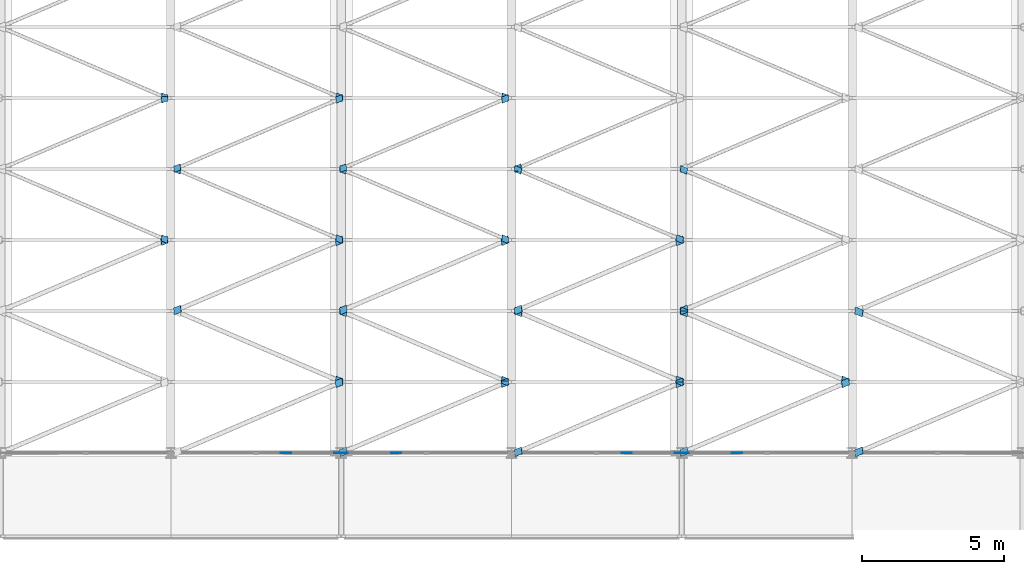
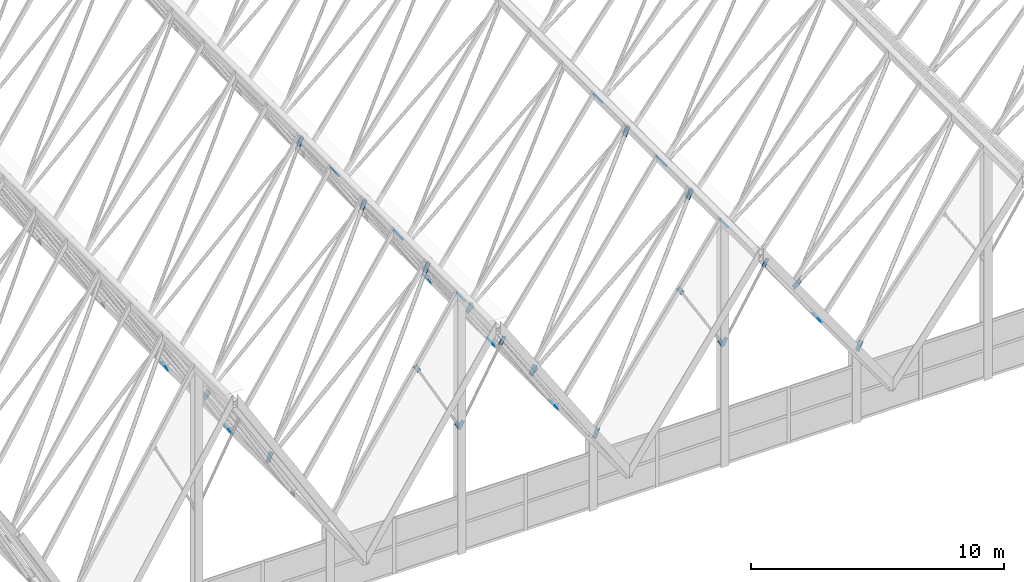
# One storey, part 417 of 483: 49 discrete accessories.
"""IFC4 building model written with IfcOpenShell, lengths in metres."""

from ifc_helpers import new_model, si_unit, direction, frame, origin, place, context, subcontext, project, spatial, polyline, outline, extrude, material, layer, layer_set, type_object, element, save


model = new_model("IFC4")

# Units and contexts
model_context = context("Model", 3, precision=1e-05, world=origin(), true_north=direction((0.0, 1.0)))
body_context = subcontext(model_context, "Body", "Model", "MODEL_VIEW")
ifc_project = project(units=[si_unit("LENGTHUNIT", "METRE"), si_unit("AREAUNIT", "SQUARE_METRE"), si_unit("VOLUMEUNIT", "CUBIC_METRE"), si_unit("PLANEANGLEUNIT", "RADIAN"), si_unit("MASSUNIT", "GRAM", prefix="KILO")], contexts=[model_context])

# Site, building, storey
site_placement = place(None, origin())
site = spatial("IfcSite", under=ifc_project, at=site_placement, CompositionType="ELEMENT")
building_placement = place(site_placement, origin())
building = spatial("IfcBuilding", under=site, at=building_placement, Name="Parallax Yard Mobility Hub", CompositionType="ELEMENT")
storey_placement = place(building_placement, frame((0.0, 0.0, 13.199951171875)))
storey = spatial("IfcBuildingStorey", under=building, at=storey_placement, Name="L04", CompositionType="ELEMENT", Elevation=13.199951171875)

# Discrete accessories
ifc_material = material(Name="Steel ASTM A36", Category="steel")
ifc_layer = layer(ifc_material, 0.011962890625)
ifc_layer_set = layer_set([ifc_layer], Name="Gusset plate PL12")
discrete_accessory_type = type_object("IfcDiscreteAccessoryType", Name="Gusset plate PL12", PredefinedType="BRACKET", material=ifc_layer_set)
discrete_accessory_1_placement = place(storey_placement, frame((63.18896484375, 7.708740234375, 11.430419921875), z_axis=(0.817026290384, 0.000463049086, 0.576600231015), x_axis=(-0.559718761613, -0.239568385571, 0.79329811328)))
element("IfcDiscreteAccessory", 1, at=discrete_accessory_1_placement, inside=storey, type_object=discrete_accessory_type, Name="Gusset plate PL12 at end 1 of Plate diagonal plate F10-F11 bay 1", PredefinedType="BRACKET", context=body_context, shape_type="SweptSolid", body=[
    extrude(outline(polyline([(0.0, 0.0), (0.4483975409272692, 0.0), (0.448316321842349, 0.248214411507842), (-2.2730709536691873e-05, 0.2484514426069415), (0.0, 0.0)])), origin(), (0.0, 0.0, -1.0), 0.011962890625),
])
discrete_accessory_2_placement = place(storey_placement, frame((68.65869140625, 9.791259765625, 3.678955078125), z_axis=(0.817206306377, 0.000126362615, 0.576345241024), x_axis=(0.559526643566, 0.239641426507, -0.793411571532)))
element("IfcDiscreteAccessory", 2, at=discrete_accessory_2_placement, inside=storey, type_object=discrete_accessory_type, Name="Gusset plate PL12 at end 2 of Plate diagonal plate F10-F11 bay 1", PredefinedType="BRACKET", context=body_context, shape_type="SweptSolid", body=[
    extrude(outline(polyline([(0.0, 0.0), (0.44826092537305107, -2.7755575615628914e-17), (0.44833501109760987, 0.24818065261930278), (-4.0112522624036195e-06, 0.24845142359374953), (0.0, 0.0)])), origin(), (0.0, 0.0, -1.0), 0.011962890625),
])
discrete_accessory_3_placement = place(storey_placement, frame((69.35009765625, 7.712890625, 3.66748046875), z_axis=(-0.793562548739, -0.000276717844, 0.608488623284), x_axis=(-0.588849048877, -0.251663515801, -0.768063976796)))
element("IfcDiscreteAccessory", 3, at=discrete_accessory_3_placement, inside=storey, type_object=discrete_accessory_type, Name="Gusset plate PL12 at end 1 of Plate diagonal plate F11-F12 bay 1", PredefinedType="BRACKET", context=body_context, shape_type="SweptSolid", body=[
    extrude(outline(polyline([(0.0, 0.0), (0.44818959311966156, -1.3877787807814457e-17), (0.44821672303905474, 0.2484687146965867), (2.7129919393138746e-05, 0.24846871469658674), (0.0, 0.0)])), origin(), (0.0, 0.0, -1.0), 0.011962890625),
])
for number, where, z_axis, x_axis, name in (
    (4, (50.819091796875, 9.795166015625, 12.08056640625), (-0.837033767538, 0.000540959891, 0.547150965788), (0.532886386741, 0.227659441622, 0.814986673184), "Gusset plate PL12 at end 2 of Plate diagonal plate F7-F8 bay 1"),
    (5, (51.180908203125, 7.704833984375, 12.08056640625), (0.837033767538, -0.000540959891, 0.547150965788), (-0.532886386741, -0.227659441622, 0.814986673184), "Gusset plate PL12 at end 1 of Plate diagonal plate F8-F9 bay 1"),
):
    element("IfcDiscreteAccessory", number, at=place(storey_placement, frame(where, z_axis=z_axis, x_axis=x_axis)), inside=storey, type_object=discrete_accessory_type, Name=name, PredefinedType="BRACKET", context=body_context, shape_type="SweptSolid", body=[
        extrude(outline(polyline([(0.0, 0.0), (0.44826110407708525, 0.0), (0.44821875078929835, 0.2484777706920069), (-0.00011122542803169988, 0.2484940606583268), (0.0, 0.0)])), origin(), (0.0, 0.0, -1.0), 0.011962890625),
    ])
discrete_accessory_4_placement = place(storey_placement, frame((56.666748046875, 9.795166015625, 3.688720703125), z_axis=(0.837033767538, -0.000540959891, 0.547150965788), x_axis=(0.532899279846, 0.227558272034, -0.815006497133)))
element("IfcDiscreteAccessory", 6, at=discrete_accessory_4_placement, inside=storey, type_object=discrete_accessory_type, Name="Gusset plate PL12 at end 2 of Plate diagonal plate F8-F9 bay 1", PredefinedType="BRACKET", context=body_context, shape_type="SweptSolid", body=[
    extrude(outline(polyline([(0.0, 0.0), (0.44846007785329556, 2.7755575615628914e-17), (0.4481929323709216, 0.24852433776180394), (6.193307645872143e-05, 0.2484474749499382), (0.0, 0.0)])), origin(), (0.0, 0.0, -1.0), 0.011962890625),
])
discrete_accessory_5_placement = place(storey_placement, frame((57.34130859375, 7.708740234375, 3.678955078125), z_axis=(-0.817206306377, -0.000126362615, 0.576345241024), x_axis=(-0.559526643566, -0.239641426507, -0.793411571532)))
element("IfcDiscreteAccessory", 7, at=discrete_accessory_5_placement, inside=storey, type_object=discrete_accessory_type, Name="Gusset plate PL12 at end 1 of Plate diagonal plate F9-F10 bay 1", PredefinedType="BRACKET", context=body_context, shape_type="SweptSolid", body=[
    extrude(outline(polyline([(0.0, 0.0), (0.44826092537305107, -2.7755575615628914e-17), (0.44833501109760987, 0.24818065261930278), (-4.0112522624036195e-06, 0.24845142359374953), (0.0, 0.0)])), origin(), (0.0, 0.0, -1.0), 0.011962890625),
])
discrete_accessory_6_placement = place(storey_placement, frame((62.81103515625, 9.791259765625, 11.430419921875), z_axis=(-0.817026290384, -0.000463049086, 0.576600231015), x_axis=(0.559718761613, 0.239568385571, 0.79329811328)))
element("IfcDiscreteAccessory", 8, at=discrete_accessory_6_placement, inside=storey, type_object=discrete_accessory_type, Name="Gusset plate PL12 at end 2 of Plate diagonal plate F9-F10 bay 1", PredefinedType="BRACKET", context=body_context, shape_type="SweptSolid", body=[
    extrude(outline(polyline([(0.0, 0.0), (0.4483975409272692, 0.0), (0.448316321842349, 0.248214411507842), (-2.2730709536691873e-05, 0.2484514426069415), (0.0, 0.0)])), origin(), (0.0, 0.0, -1.0), 0.011962890625),
])
discrete_accessory_7_placement = place(storey_placement, frame((68.624267578125, 9.967529296875, 3.7275390625), z_axis=(0.817206306377, -0.000126362615, 0.576345241024), x_axis=(0.559610016294, -0.239055038447, -0.793529658082)))
element("IfcDiscreteAccessory", 9, at=discrete_accessory_7_placement, inside=storey, type_object=discrete_accessory_type, Name="Gusset plate PL12 at end 1 of Plate diagonal plate F10-F11 bay 2", PredefinedType="BRACKET", context=body_context, shape_type="SweptSolid", body=[
    extrude(outline(polyline([(0.0, 0.0), (0.44833910411490974, 1.3877787807814457e-17), (0.4484149052117087, 0.24818065210130974), (0.00015406158943741255, 0.24845137586030303), (0.0, 0.0)])), origin(), (0.0, 0.0, -1.0), 0.011962890625),
])
discrete_accessory_8_placement = place(storey_placement, frame((63.223388671875, 12.532470703125, 11.3818359375), z_axis=(0.817026290384, -0.000463049086, 0.576600231015), x_axis=(-0.559791907884, 0.239055060701, 0.793401347252)))
element("IfcDiscreteAccessory", 10, at=discrete_accessory_8_placement, inside=storey, type_object=discrete_accessory_type, Name="Gusset plate PL12 at end 2 of Plate diagonal plate F10-F11 bay 2", PredefinedType="BRACKET", context=body_context, shape_type="SweptSolid", body=[
    extrude(outline(polyline([(0.0, 0.0), (0.4483391152095303, 1.3877787807814457e-17), (0.4485515620363251, 0.24821433387914948), (0.0001540837748658097, 0.2484513958671712), (0.0, 0.0)])), origin(), (0.0, 0.0, -1.0), 0.011962890625),
])
discrete_accessory_9_placement = place(storey_placement, frame((69.38818359375, 12.527587890625, 3.717041015625), z_axis=(-0.793562548739, 0.000276717844, 0.608488623284), x_axis=(-0.588849048877, 0.251663515801, -0.768063976796)))
element("IfcDiscreteAccessory", 11, at=discrete_accessory_9_placement, inside=storey, type_object=discrete_accessory_type, Name="Gusset plate PL12 at end 2 of Plate diagonal plate F11-F12 bay 2", PredefinedType="BRACKET", context=body_context, shape_type="SweptSolid", body=[
    extrude(outline(polyline([(0.0, 0.0), (0.44818959311966156, 1.3877787807814457e-17), (0.4481624632002684, 0.24846871469658677), (-2.7129919393138746e-05, 0.24846871469658674), (0.0, 0.0)])), origin(), (0.0, 0.0, -1.0), 0.011962890625),
])
discrete_accessory_10_placement = place(storey_placement, frame((50.788330078125, 9.962890625, 12.032958984375), z_axis=(-0.837033767538, -0.000540959891, 0.547150965788), x_axis=(0.532890896377, -0.227624060829, 0.814993607024)))
element("IfcDiscreteAccessory", 12, at=discrete_accessory_10_placement, inside=storey, type_object=discrete_accessory_type, Name="Gusset plate PL12 at end 1 of Plate diagonal plate F7-F8 bay 2", PredefinedType="BRACKET", context=body_context, shape_type="SweptSolid", body=[
    extrude(outline(polyline([(0.0, 0.0), (0.44832997651327616, 2.7755575615628914e-17), (0.44838135818353864, 0.2484777689890879), (0.00012025440235405999, 0.2484940564529436), (0.0, 0.0)])), origin(), (0.0, 0.0, -1.0), 0.011962890625),
])
discrete_accessory_11_placement = place(storey_placement, frame((56.635986328125, 9.962890625, 3.736083984375), z_axis=(0.837033767538, 0.000540959891, 0.547150965788), x_axis=(0.532877992062, -0.227725287398, -0.814973765869)))
element("IfcDiscreteAccessory", 13, at=discrete_accessory_11_placement, inside=storey, type_object=discrete_accessory_type, Name="Gusset plate PL12 at end 1 of Plate diagonal plate F8-F9 bay 2", PredefinedType="BRACKET", context=body_context, shape_type="SweptSolid", body=[
    extrude(outline(polyline([(0.0, 0.0), (0.4481310058861647, 0.0), (0.44835552481307284, 0.2485243799266048), (-0.00010454644368060317, 0.24844746067276932), (0.0, 0.0)])), origin(), (0.0, 0.0, -1.0), 0.011962890625),
])
discrete_accessory_12_placement = place(storey_placement, frame((51.211669921875, 12.537109375, 12.032958984375), z_axis=(0.837033767538, 0.000540959891, 0.547150965788), x_axis=(-0.532890896377, 0.227624060829, 0.814993607024)))
element("IfcDiscreteAccessory", 14, at=discrete_accessory_12_placement, inside=storey, type_object=discrete_accessory_type, Name="Gusset plate PL12 at end 2 of Plate diagonal plate F8-F9 bay 2", PredefinedType="BRACKET", context=body_context, shape_type="SweptSolid", body=[
    extrude(outline(polyline([(0.0, 0.0), (0.44832997651327616, 2.7755575615628914e-17), (0.44838135818353864, 0.2484777689890879), (0.00012025440235405999, 0.2484940564529436), (0.0, 0.0)])), origin(), (0.0, 0.0, -1.0), 0.011962890625),
])
discrete_accessory_13_placement = place(storey_placement, frame((62.776611328125, 9.967529296875, 11.3818359375), z_axis=(-0.817026290384, 0.000463049086, 0.576600231015), x_axis=(0.559791907884, -0.239055060701, 0.793401347252)))
element("IfcDiscreteAccessory", 15, at=discrete_accessory_13_placement, inside=storey, type_object=discrete_accessory_type, Name="Gusset plate PL12 at end 1 of Plate diagonal plate F9-F10 bay 2", PredefinedType="BRACKET", context=body_context, shape_type="SweptSolid", body=[
    extrude(outline(polyline([(0.0, 0.0), (0.4483391152095303, 1.3877787807814457e-17), (0.4485515620363251, 0.24821433387914948), (0.0001540837748658097, 0.2484513958671712), (0.0, 0.0)])), origin(), (0.0, 0.0, -1.0), 0.011962890625),
])
discrete_accessory_14_placement = place(storey_placement, frame((57.375732421875, 12.532470703125, 3.7275390625), z_axis=(-0.817206306377, 0.000126362615, 0.576345241024), x_axis=(-0.559610016294, 0.239055038447, -0.793529658082)))
element("IfcDiscreteAccessory", 16, at=discrete_accessory_14_placement, inside=storey, type_object=discrete_accessory_type, Name="Gusset plate PL12 at end 2 of Plate diagonal plate F9-F10 bay 2", PredefinedType="BRACKET", context=body_context, shape_type="SweptSolid", body=[
    extrude(outline(polyline([(0.0, 0.0), (0.44833910411490974, 1.3877787807814457e-17), (0.4484149052117087, 0.24818065210130974), (0.00015406158943741255, 0.24845137586030303), (0.0, 0.0)])), origin(), (0.0, 0.0, -1.0), 0.011962890625),
])
discrete_accessory_15_placement = place(storey_placement, frame((63.18896484375, 12.708740234375, 11.430419921875), z_axis=(0.817026290384, 0.000463049086, 0.576600231015), x_axis=(-0.559718761613, -0.239568385571, 0.79329811328)))
element("IfcDiscreteAccessory", 17, at=discrete_accessory_15_placement, inside=storey, type_object=discrete_accessory_type, Name="Gusset plate PL12 at end 1 of Plate diagonal plate F10-F11 bay 3", PredefinedType="BRACKET", context=body_context, shape_type="SweptSolid", body=[
    extrude(outline(polyline([(0.0, 0.0), (0.4483975409272692, 0.0), (0.448316321842349, 0.248214411507842), (-2.2730709536691873e-05, 0.2484514426069415), (0.0, 0.0)])), origin(), (0.0, 0.0, -1.0), 0.011962890625),
])
discrete_accessory_16_placement = place(storey_placement, frame((44.674560546875, 14.798828125, 3.697265625), z_axis=(0.85415450539, -0.000224511175, 0.520019259756), x_axis=(0.50764739029, 0.217192880489, -0.833739395613)))
element("IfcDiscreteAccessory", 18, at=discrete_accessory_16_placement, inside=storey, type_object=discrete_accessory_type, Name="Gusset plate PL12 at end 2 of Plate diagonal plate F6-F7 bay 3", PredefinedType="BRACKET", context=body_context, shape_type="SweptSolid", body=[
    extrude(outline(polyline([(0.0, 0.0), (0.4485049026230614, 1.3877787807814457e-17), (0.4485595857436242, 0.24834820057078677), (0.00013429542654988524, 0.24833040932254563), (0.0, 0.0)])), origin(), (0.0, 0.0, -1.0), 0.011962890625),
])
discrete_accessory_17_placement = place(storey_placement, frame((45.333251953125, 12.704833984375, 3.688720703125), z_axis=(-0.837033767538, 0.000540959891, 0.547150965788), x_axis=(-0.532899279846, -0.227558272034, -0.815006497133)))
element("IfcDiscreteAccessory", 19, at=discrete_accessory_17_placement, inside=storey, type_object=discrete_accessory_type, Name="Gusset plate PL12 at end 1 of Plate diagonal plate F7-F8 bay 3", PredefinedType="BRACKET", context=body_context, shape_type="SweptSolid", body=[
    extrude(outline(polyline([(0.0, 0.0), (0.44846007785329556, 2.7755575615628914e-17), (0.4481929323709216, 0.24852433776180394), (6.193307645872143e-05, 0.2484474749499382), (0.0, 0.0)])), origin(), (0.0, 0.0, -1.0), 0.011962890625),
])
for number, where, z_axis, x_axis, name in (
    (20, (50.819091796875, 14.795166015625, 12.08056640625), (-0.837033767538, 0.000540959891, 0.547150965788), (0.532886386741, 0.227659441622, 0.814986673184), "Gusset plate PL12 at end 2 of Plate diagonal plate F7-F8 bay 3"),
    (21, (51.180908203125, 12.704833984375, 12.08056640625), (0.837033767538, -0.000540959891, 0.547150965788), (-0.532886386741, -0.227659441622, 0.814986673184), "Gusset plate PL12 at end 1 of Plate diagonal plate F8-F9 bay 3"),
):
    element("IfcDiscreteAccessory", number, at=place(storey_placement, frame(where, z_axis=z_axis, x_axis=x_axis)), inside=storey, type_object=discrete_accessory_type, Name=name, PredefinedType="BRACKET", context=body_context, shape_type="SweptSolid", body=[
        extrude(outline(polyline([(0.0, 0.0), (0.44826110407708525, 0.0), (0.44821875078929835, 0.2484777706920069), (-0.00011122542803169988, 0.2484940606583268), (0.0, 0.0)])), origin(), (0.0, 0.0, -1.0), 0.011962890625),
    ])
discrete_accessory_18_placement = place(storey_placement, frame((56.666748046875, 14.795166015625, 3.688720703125), z_axis=(0.837033767538, -0.000540959891, 0.547150965788), x_axis=(0.532899279846, 0.227558272034, -0.815006497133)))
element("IfcDiscreteAccessory", 22, at=discrete_accessory_18_placement, inside=storey, type_object=discrete_accessory_type, Name="Gusset plate PL12 at end 2 of Plate diagonal plate F8-F9 bay 3", PredefinedType="BRACKET", context=body_context, shape_type="SweptSolid", body=[
    extrude(outline(polyline([(0.0, 0.0), (0.44846007785329556, 2.7755575615628914e-17), (0.4481929323709216, 0.24852433776180394), (6.193307645872143e-05, 0.2484474749499382), (0.0, 0.0)])), origin(), (0.0, 0.0, -1.0), 0.011962890625),
])
discrete_accessory_19_placement = place(storey_placement, frame((57.34130859375, 12.708740234375, 3.678955078125), z_axis=(-0.817206306377, -0.000126362615, 0.576345241024), x_axis=(-0.559526643566, -0.239641426507, -0.793411571532)))
element("IfcDiscreteAccessory", 23, at=discrete_accessory_19_placement, inside=storey, type_object=discrete_accessory_type, Name="Gusset plate PL12 at end 1 of Plate diagonal plate F9-F10 bay 3", PredefinedType="BRACKET", context=body_context, shape_type="SweptSolid", body=[
    extrude(outline(polyline([(0.0, 0.0), (0.44826092537305107, -2.7755575615628914e-17), (0.44833501109760987, 0.24818065261930278), (-4.0112522624036195e-06, 0.24845142359374953), (0.0, 0.0)])), origin(), (0.0, 0.0, -1.0), 0.011962890625),
])
discrete_accessory_20_placement = place(storey_placement, frame((62.81103515625, 14.791259765625, 11.430419921875), z_axis=(-0.817026290384, -0.000463049086, 0.576600231015), x_axis=(0.559718761613, 0.239568385571, 0.79329811328)))
element("IfcDiscreteAccessory", 24, at=discrete_accessory_20_placement, inside=storey, type_object=discrete_accessory_type, Name="Gusset plate PL12 at end 2 of Plate diagonal plate F9-F10 bay 3", PredefinedType="BRACKET", context=body_context, shape_type="SweptSolid", body=[
    extrude(outline(polyline([(0.0, 0.0), (0.4483975409272692, 0.0), (0.448316321842349, 0.248214411507842), (-2.2730709536691873e-05, 0.2484514426069415), (0.0, 0.0)])), origin(), (0.0, 0.0, -1.0), 0.011962890625),
])
discrete_accessory_21_placement = place(storey_placement, frame((63.205322265625, 17.525390625, 11.4072265625), z_axis=(0.817216414757, 0.000113800611, 0.57633091059), x_axis=(-0.559637132998, 0.239096541355, 0.793498029791)))
element("IfcDiscreteAccessory", 25, at=discrete_accessory_21_placement, inside=storey, type_object=discrete_accessory_type, Name="Gusset plate PL12 at end 2 of Plate diagonal plate F10-F11 bay 4", PredefinedType="BRACKET", context=body_context, shape_type="SweptSolid", body=[
    extrude(outline(polyline([(0.0, 0.0), (0.41967063307510005, 0.0), (0.419748606007688, 0.2195204244093797), (1.9599753546109544e-05, 0.21975748392927294), (0.0, 0.0)])), origin(), (0.0, 0.0, -1.0), 0.011962890625),
])
discrete_accessory_22_placement = place(storey_placement, frame((44.66259765625, 14.966552734375, 3.716552734375), z_axis=(0.854018875597, -0.000557720542, 0.520241721771), x_axis=(0.507742563773, -0.21699439579, -0.833733123445)))
element("IfcDiscreteAccessory", 26, at=discrete_accessory_22_placement, inside=storey, type_object=discrete_accessory_type, Name="Gusset plate PL12 at end 1 of Plate diagonal plate F6-F7 bay 4", PredefinedType="BRACKET", context=body_context, shape_type="SweptSolid", body=[
    extrude(outline(polyline([(0.0, 0.0), (0.41966253264156217, 0.0), (0.41978511409084773, 0.219614864219578), (-8.096667655547313e-05, 0.21956968987108047), (0.0, 0.0)])), origin(), (0.0, 0.0, -1.0), 0.011962890625),
])
discrete_accessory_23_placement = place(storey_placement, frame((50.805419921875, 14.970458984375, 12.05908203125), z_axis=(-0.837104809416, 9.4721445e-05, 0.547042529498), x_axis=(0.532604607357, -0.228088646198, 0.81505085835)))
element("IfcDiscreteAccessory", 27, at=discrete_accessory_23_placement, inside=storey, type_object=discrete_accessory_type, Name="Gusset plate PL12 at end 1 of Plate diagonal plate F7-F8 bay 4", PredefinedType="BRACKET", context=body_context, shape_type="SweptSolid", body=[
    extrude(outline(polyline([(0.0, 0.0), (0.41958745546633935, 1.3877787807814457e-17), (0.41972598432320807, 0.21968973525675228), (8.498435150723627e-06, 0.21965925395969144), (0.0, 0.0)])), origin(), (0.0, 0.0, -1.0), 0.011962890625),
])
for number, where, z_axis, x_axis, name in (
    (28, (45.34716796875, 17.529541015625, 3.7099609375), (-0.837151551627, 0.000426998738, 0.546970837688), (-0.53248050313, 0.228017799443, -0.815151763124), "Gusset plate PL12 at end 2 of Plate diagonal plate F7-F8 bay 4"),
    (29, (56.65283203125, 14.970458984375, 3.7099609375), (0.837151551627, -0.000426998738, 0.546970837688), (0.53248050313, -0.228017799443, -0.815151763124), "Gusset plate PL12 at end 1 of Plate diagonal plate F8-F9 bay 4"),
):
    element("IfcDiscreteAccessory", number, at=place(storey_placement, frame(where, z_axis=z_axis, x_axis=x_axis)), inside=storey, type_object=discrete_accessory_type, Name=name, PredefinedType="BRACKET", context=body_context, shape_type="SweptSolid", body=[
        extrude(outline(polyline([(0.0, 0.0), (0.4197174654260176, 0.0), (0.41974195939473513, 0.2196592115453762), (-4.451756936702661e-05, 0.21964319813459596), (0.0, 0.0)])), origin(), (0.0, 0.0, -1.0), 0.011962890625),
    ])
discrete_accessory_24_placement = place(storey_placement, frame((51.194580078125, 17.529541015625, 12.05908203125), z_axis=(0.837104809416, -9.4721445e-05, 0.547042529498), x_axis=(-0.532604607357, 0.228088646198, 0.81505085835)))
element("IfcDiscreteAccessory", 30, at=discrete_accessory_24_placement, inside=storey, type_object=discrete_accessory_type, Name="Gusset plate PL12 at end 2 of Plate diagonal plate F8-F9 bay 4", PredefinedType="BRACKET", context=body_context, shape_type="SweptSolid", body=[
    extrude(outline(polyline([(0.0, 0.0), (0.41958745546633935, 1.3877787807814457e-17), (0.41972598432320807, 0.21968973525675228), (8.498435150723627e-06, 0.21965925395969144), (0.0, 0.0)])), origin(), (0.0, 0.0, -1.0), 0.011962890625),
])
discrete_accessory_25_placement = place(storey_placement, frame((62.794677734375, 14.974609375, 11.4072265625), z_axis=(-0.817216414757, -0.000113800611, 0.57633091059), x_axis=(0.559637132998, -0.239096541355, 0.793498029791)))
element("IfcDiscreteAccessory", 31, at=discrete_accessory_25_placement, inside=storey, type_object=discrete_accessory_type, Name="Gusset plate PL12 at end 1 of Plate diagonal plate F9-F10 bay 4", PredefinedType="BRACKET", context=body_context, shape_type="SweptSolid", body=[
    extrude(outline(polyline([(0.0, 0.0), (0.41967063307510005, 0.0), (0.419748606007688, 0.2195204244093797), (1.9599753546109544e-05, 0.21975748392927294), (0.0, 0.0)])), origin(), (0.0, 0.0, -1.0), 0.011962890625),
])
discrete_accessory_26_placement = place(storey_placement, frame((57.357666015625, 17.525390625, 3.7021484375), z_axis=(-0.817166710519, -0.000464958066, 0.576401206656), x_axis=(-0.559774062579, 0.239096466815, -0.793401461065)))
element("IfcDiscreteAccessory", 32, at=discrete_accessory_26_placement, inside=storey, type_object=discrete_accessory_type, Name="Gusset plate PL12 at end 2 of Plate diagonal plate F9-F10 bay 4", PredefinedType="BRACKET", context=body_context, shape_type="SweptSolid", body=[
    extrude(outline(polyline([(0.0, 0.0), (0.41967062718625203, 1.3877787807814457e-17), (0.4197486118976303, 0.21952041314712403), (0.00021331307911515163, 0.21980523679261565), (0.0, 0.0)])), origin(), (0.0, 0.0, -1.0), 0.011962890625),
])
discrete_accessory_27_placement = place(storey_placement, frame((44.6875, 19.819091796875, 3.676025390625), z_axis=(0.854018875597, 0.000557720542, 0.520241721771), x_axis=(0.507754756906, 0.21688936589, -0.833753026863)))
element("IfcDiscreteAccessory", 33, at=discrete_accessory_27_placement, inside=storey, type_object=discrete_accessory_type, Name="Gusset plate PL12 at end 2 of Plate diagonal plate F6-F7 bay 5", PredefinedType="BRACKET", context=body_context, shape_type="SweptSolid", body=[
    extrude(outline(polyline([(0.0, 0.0), (0.41986608319760876, -1.3877787807814457e-17), (0.41971987288542956, 0.219614849759619), (5.7342672894721e-05, 0.21956969731158954), (0.0, 0.0)])), origin(), (0.0, 0.0, -1.0), 0.011962890625),
])
discrete_accessory_28_placement = place(storey_placement, frame((45.319580078125, 17.684326171875, 3.668212890625), z_axis=(-0.837151551627, -0.000426998738, 0.546970837688), x_axis=(-0.532485273624, -0.227980657615, -0.815159035481)))
element("IfcDiscreteAccessory", 34, at=discrete_accessory_28_placement, inside=storey, type_object=discrete_accessory_type, Name="Gusset plate PL12 at end 1 of Plate diagonal plate F7-F8 bay 5", PredefinedType="BRACKET", context=body_context, shape_type="SweptSolid", body=[
    extrude(outline(polyline([(0.0, 0.0), (0.41978647726953044, -1.3877787807814457e-17), (0.4197536040571519, 0.21965921045119582), (3.6138936512303266e-05, 0.21964319967298013), (0.0, 0.0)])), origin(), (0.0, 0.0, -1.0), 0.011962890625),
])
for number, where, z_axis, x_axis, name in (
    (35, (50.832763671875, 19.815673828125, 12.10107421875), (-0.837104809416, -9.4721445e-05, 0.547042529498), (0.532613673081, 0.228017936555, 0.815064718815), "Gusset plate PL12 at end 2 of Plate diagonal plate F7-F8 bay 5"),
    (36, (51.167236328125, 17.684326171875, 12.10107421875), (0.837104809416, 9.4721445e-05, 0.547042529498), (-0.532613673081, -0.228017936555, 0.815064718815), "Gusset plate PL12 at end 1 of Plate diagonal plate F8-F9 bay 5"),
):
    element("IfcDiscreteAccessory", number, at=place(storey_placement, frame(where, z_axis=z_axis, x_axis=x_axis)), inside=storey, type_object=discrete_accessory_type, Name=name, PredefinedType="BRACKET", context=body_context, shape_type="SweptSolid", body=[
        extrude(outline(polyline([(0.0, 0.0), (0.41971748699488454, 0.0), (0.4195630035301291, 0.2196897246169816), (-2.4450829726033185e-05, 0.21965925276324816), (0.0, 0.0)])), origin(), (0.0, 0.0, -1.0), 0.011962890625),
    ])
discrete_accessory_29_placement = place(storey_placement, frame((56.680419921875, 19.815673828125, 3.668212890625), z_axis=(0.837151551627, 0.000426998738, 0.546970837688), x_axis=(0.532485273624, 0.227980657615, -0.815159035481)))
element("IfcDiscreteAccessory", 37, at=discrete_accessory_29_placement, inside=storey, type_object=discrete_accessory_type, Name="Gusset plate PL12 at end 2 of Plate diagonal plate F8-F9 bay 5", PredefinedType="BRACKET", context=body_context, shape_type="SweptSolid", body=[
    extrude(outline(polyline([(0.0, 0.0), (0.41978647726953044, -1.3877787807814457e-17), (0.4197536040571519, 0.21965921045119582), (3.6138936512303266e-05, 0.21964319967298013), (0.0, 0.0)])), origin(), (0.0, 0.0, -1.0), 0.011962890625),
])
discrete_accessory_30_placement = place(storey_placement, frame((57.327392578125, 17.68798828125, 3.658935546875), z_axis=(-0.817166710519, 0.000464958066, 0.576401206656), x_axis=(-0.559680620735, -0.239755623166, -0.793268456409)))
element("IfcDiscreteAccessory", 38, at=discrete_accessory_30_placement, inside=storey, type_object=discrete_accessory_type, Name="Gusset plate PL12 at end 1 of Plate diagonal plate F9-F10 bay 5", PredefinedType="BRACKET", context=body_context, shape_type="SweptSolid", body=[
    extrude(outline(polyline([(0.0, 0.0), (0.41953539550227437, -1.3877787807814457e-17), (0.419606443774865, 0.21952041550170728), (-6.408669646303794e-05, 0.2198053309563326), (0.0, 0.0)])), origin(), (0.0, 0.0, -1.0), 0.011962890625),
])
discrete_accessory_31_placement = place(storey_placement, frame((44.66259765625, 19.966552734375, 3.716552734375), z_axis=(0.854018875597, -0.000557720542, 0.520241721771), x_axis=(0.507742563773, -0.21699439579, -0.833733123445)))
element("IfcDiscreteAccessory", 39, at=discrete_accessory_31_placement, inside=storey, type_object=discrete_accessory_type, Name="Gusset plate PL12 at end 1 of Plate diagonal plate F6-F7 bay 6", PredefinedType="BRACKET", context=body_context, shape_type="SweptSolid", body=[
    extrude(outline(polyline([(0.0, 0.0), (0.41966253264156217, 0.0), (0.41978511409084773, 0.219614864219578), (-8.096667655547313e-05, 0.21956968987108047), (0.0, 0.0)])), origin(), (0.0, 0.0, -1.0), 0.011962890625),
])
discrete_accessory_32_placement = place(storey_placement, frame((50.805419921875, 19.970458984375, 12.05908203125), z_axis=(-0.837104809416, 9.4721445e-05, 0.547042529498), x_axis=(0.532604607357, -0.228088646198, 0.81505085835)))
element("IfcDiscreteAccessory", 40, at=discrete_accessory_32_placement, inside=storey, type_object=discrete_accessory_type, Name="Gusset plate PL12 at end 1 of Plate diagonal plate F7-F8 bay 6", PredefinedType="BRACKET", context=body_context, shape_type="SweptSolid", body=[
    extrude(outline(polyline([(0.0, 0.0), (0.41958745546633935, 1.3877787807814457e-17), (0.41972598432320807, 0.21968973525675228), (8.498435150723627e-06, 0.21965925395969144), (0.0, 0.0)])), origin(), (0.0, 0.0, -1.0), 0.011962890625),
])
discrete_accessory_33_placement = place(storey_placement, frame((56.65283203125, 19.970458984375, 3.7099609375), z_axis=(0.837151551627, -0.000426998738, 0.546970837688), x_axis=(0.53248050313, -0.228017799443, -0.815151763124)))
element("IfcDiscreteAccessory", 41, at=discrete_accessory_33_placement, inside=storey, type_object=discrete_accessory_type, Name="Gusset plate PL12 at end 1 of Plate diagonal plate F8-F9 bay 6", PredefinedType="BRACKET", context=body_context, shape_type="SweptSolid", body=[
    extrude(outline(polyline([(0.0, 0.0), (0.4197174654260176, 0.0), (0.41974195939473513, 0.2196592115453762), (-4.451756936702661e-05, 0.21964319813459596), (0.0, 0.0)])), origin(), (0.0, 0.0, -1.0), 0.011962890625),
])
discrete_accessory_34_placement = place(storey_placement, frame((50.9326171875, 7.5, 6.322021484375), z_axis=(0.0, 1.0, 0.0), x_axis=(0.484696589666, 0.0, -0.874682351466)))
element("IfcDiscreteAccessory", 42, at=discrete_accessory_34_placement, inside=storey, type_object=discrete_accessory_type, Name="Gusset plate PL12 at end 1 of Gable knee brace F8 south west", PredefinedType="BRACKET", context=body_context, shape_type="SweptSolid", body=[
    extrude(outline(polyline([(0.0, 0.0), (0.39439540828368724, 0.0), (0.39424987090745744, 0.1941863046000413), (-0.0001455373762298401, 0.19418630460004133), (0.0, 0.0)])), origin(), (0.0, 0.0, -1.0), 0.011962890625),
])
discrete_accessory_35_placement = place(storey_placement, frame((49.0673828125, 7.5, 9.2890625), z_axis=(0.0, 1.0, 0.0), x_axis=(-0.484959149082, 0.0, 0.874536805241)))
element("IfcDiscreteAccessory", 43, at=discrete_accessory_35_placement, inside=storey, type_object=discrete_accessory_type, Name="Gusset plate PL12 at end 2 of Gable knee brace F8 south west", PredefinedType="BRACKET", context=body_context, shape_type="SweptSolid", body=[
    extrude(outline(polyline([(0.0, 0.0), (0.3941818805497862, 0.0), (0.39419155805515577, 0.19430465038906203), (-0.0002038324568474914, 0.19418625215930566), (0.0, 0.0)])), origin(), (0.0, 0.0, -1.0), 0.011962890625),
])
discrete_accessory_36_placement = place(storey_placement, frame((51.2373046875, 7.5, 6.22802734375), z_axis=(0.0, 1.0, 0.0), x_axis=(-0.484696589666, 0.0, -0.874682351466)))
element("IfcDiscreteAccessory", 44, at=discrete_accessory_36_placement, inside=storey, type_object=discrete_accessory_type, Name="Gusset plate PL12 at end 1 of Gable knee brace F8 south east", PredefinedType="BRACKET", context=body_context, shape_type="SweptSolid", body=[
    extrude(outline(polyline([(0.0, 0.0), (0.39439540828368724, 0.0), (0.39454094565991704, 0.19418630460004133), (0.0001455373762298401, 0.19418630460004133), (0.0, 0.0)])), origin(), (0.0, 0.0, -1.0), 0.011962890625),
])
discrete_accessory_37_placement = place(storey_placement, frame((52.7626953125, 7.5, 9.383056640625), z_axis=(0.0, 1.0, 0.0), x_axis=(0.484696589666, 0.0, 0.874682351466)))
element("IfcDiscreteAccessory", 45, at=discrete_accessory_37_placement, inside=storey, type_object=discrete_accessory_type, Name="Gusset plate PL12 at end 2 of Gable knee brace F8 south east", PredefinedType="BRACKET", context=body_context, shape_type="SweptSolid", body=[
    extrude(outline(polyline([(0.0, 0.0), (0.39439540828368724, 0.0), (0.3943274001639537, 0.19430463872837772), (0.0001455373762298401, 0.19418630460004133), (0.0, 0.0)])), origin(), (0.0, 0.0, -1.0), 0.011962890625),
])
for number, where, z_axis, x_axis, name in (
    (46, (62.9228515625, 7.5, 6.11962890625), (0.0, 1.0, 0.0), (0.51139678062, 0.0, -0.85934471126), "Gusset plate PL12 at end 1 of Gable knee brace F10 south west"),
    (47, (61.0771484375, 7.5, 8.841552734375), (0.0, 1.0, 0.0), (-0.51139678062, 0.0, 0.85934471126), "Gusset plate PL12 at end 2 of Gable knee brace F10 south west"),
):
    element("IfcDiscreteAccessory", number, at=place(storey_placement, frame(where, z_axis=z_axis, x_axis=x_axis)), inside=storey, type_object=discrete_accessory_type, Name=name, PredefinedType="BRACKET", context=body_context, shape_type="SweptSolid", body=[
        extrude(outline(polyline([(0.0, 0.0), (0.39433208008344256, -2.7755575615628914e-17), (0.39411200069559615, 0.19419406138524034), (-1.027843294887365e-05, 0.194318914114884), (0.0, 0.0)])), origin(), (0.0, 0.0, -1.0), 0.011962890625),
    ])
for number, where, z_axis, x_axis, name in (
    (48, (63.244140625, 7.5, 6.020263671875), (0.0, 1.0, 0.0), (-0.511668983995, 0.0, -0.859182664407), "Gusset plate PL12 at end 1 of Gable knee brace F10 south east"),
    (49, (64.755859375, 7.5, 8.94091796875), (0.0, 1.0, 0.0), (0.511668983995, 0.0, 0.859182664407), "Gusset plate PL12 at end 2 of Gable knee brace F10 south east"),
):
    element("IfcDiscreteAccessory", number, at=place(storey_placement, frame(where, z_axis=z_axis, x_axis=x_axis)), inside=storey, type_object=discrete_accessory_type, Name=name, PredefinedType="BRACKET", context=body_context, shape_type="SweptSolid", body=[
        extrude(outline(polyline([(0.0, 0.0), (0.39412229890439193, 2.7755575615628914e-17), (0.39440389639045226, 0.1941939819229404), (7.18360933827239e-05, 0.19431890110848593), (0.0, 0.0)])), origin(), (0.0, 0.0, -1.0), 0.011962890625),
    ])

save(model, "model.ifc")
